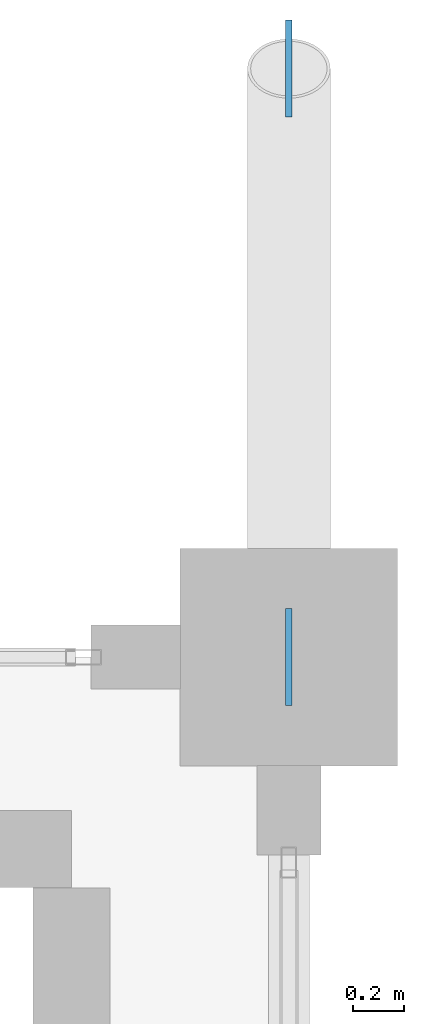
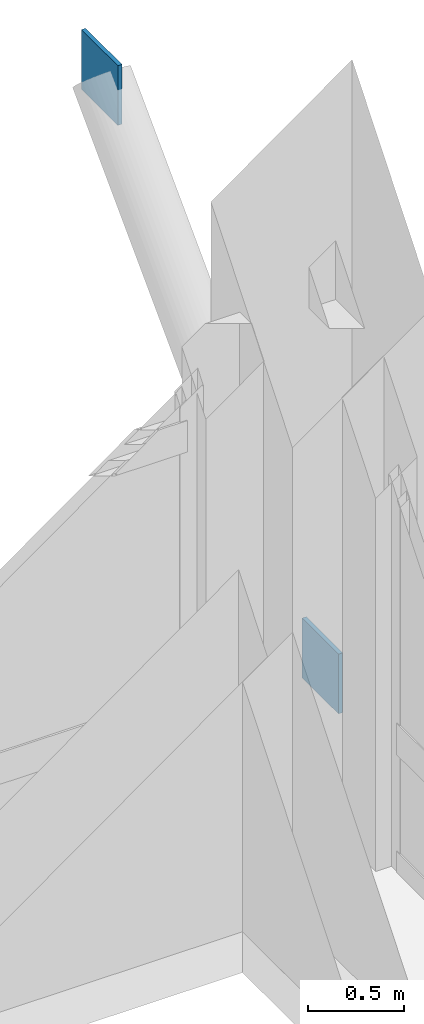
# One storey, part 33 of 37: 2 plates.
"""IFC4 building model written with IfcOpenShell, lengths in metres."""

from ifc_helpers import new_model, si_unit, direction, frame, origin, origin_2d, place, context, subcontext, project, spatial, rectangle, extrude, material, layer, layer_set, type_object, element, save


model = new_model("IFC4")

# Units and contexts
model_context = context("Model", 3, precision=1e-05, world=origin(), true_north=direction((0.0, 1.0)))
body_context = subcontext(model_context, "Body", "Model", "MODEL_VIEW")
ifc_project = project(units=[si_unit("LENGTHUNIT", "METRE"), si_unit("AREAUNIT", "SQUARE_METRE"), si_unit("VOLUMEUNIT", "CUBIC_METRE"), si_unit("PLANEANGLEUNIT", "RADIAN"), si_unit("MASSUNIT", "GRAM", prefix="KILO")], contexts=[model_context])

# Site, building, storey
site_placement = place(None, origin())
site = spatial("IfcSite", under=ifc_project, at=site_placement, CompositionType="ELEMENT")
building_placement = place(site_placement, origin())
building = spatial("IfcBuilding", under=site, at=building_placement, Name="Fikremerkos Civic Library", CompositionType="ELEMENT")
storey_placement = place(building_placement, frame((0.0, 0.0, 23.39990234375)))
storey = spatial("IfcBuildingStorey", under=building, at=storey_placement, Name="L05", CompositionType="ELEMENT", Elevation=23.39990234375)

# Plates
ifc_material = material(Name="Steel S355", Category="steel")
ifc_layer = layer(ifc_material, 0.02490234375, Name="Steel S355")
ifc_layer_set = layer_set([ifc_layer], Name="Steel S355")
plate_type = type_object("IfcPlateType", Name="Steel gusset cap plate GSP-02 380x380x25", PredefinedType="USERDEFINED", material=ifc_layer_set)
for number, where, z_axis, x_axis, name in (
    (1, (113.699951171875, 31.199951171875, 0.610107421875), (0.0, 0.0, 1.0), (1.0, 0.0, 0.0), "Steel gusset cap plate GSP-02 #41"),
    (2, (113.699951171875, 33.5, 2.960205078125), (0.0, 0.0, 1.0), (1.0, 0.0, 0.0), "Steel gusset cap plate GSP-02 #42"),
):
    element("IfcPlate", number, at=place(storey_placement, frame(where, z_axis=z_axis, x_axis=x_axis)), inside=storey, type_object=plate_type, Name=name, ObjectType="GUSSET PLATE", PredefinedType="USERDEFINED", context=body_context, shape_type="SweptSolid", body=[
        extrude(rectangle(XDim=0.02490234375, YDim=0.3798828125, at=origin_2d()), origin(), (0.0, 0.0, 1.0), 0.3798828125),
    ])

save(model, "model.ifc")
